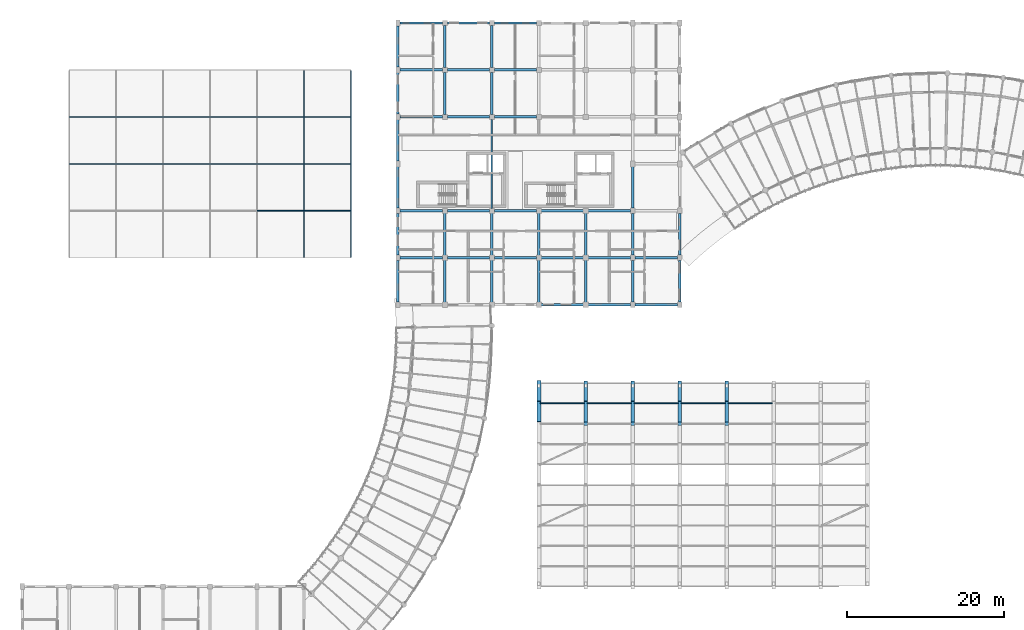
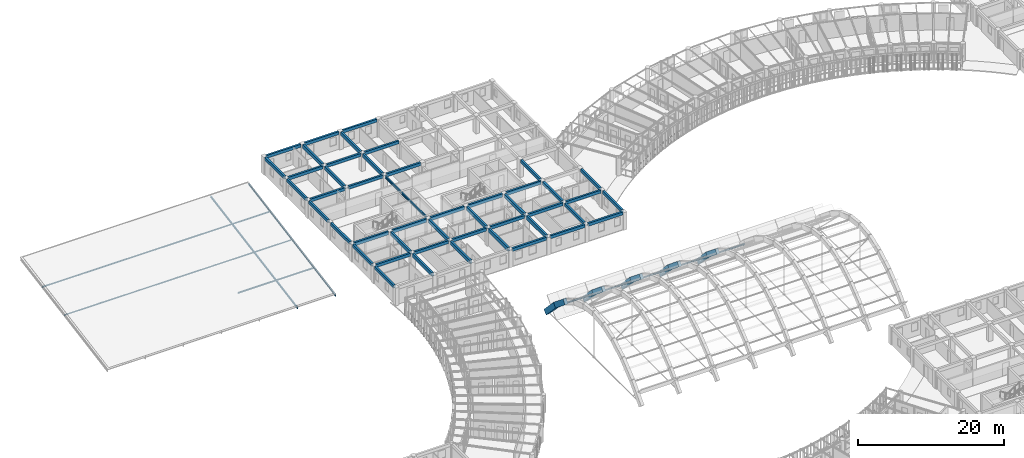
# One storey, part 40 of 123: 64 beams, 14 members.
"""IFC4 building model written with IfcOpenShell, lengths in metres."""

from ifc_helpers import new_model, si_unit, direction, frame, origin, origin_2d, place, context, subcontext, project, spatial, rectangle, i_section, extrude, material, material_profile, profile_set, type_object, element, save


model = new_model("IFC4")

# Units and contexts
model_context = context("Model", 3, precision=1e-05, world=origin(), true_north=direction((0.0, 1.0)))
body_context = subcontext(model_context, "Body", "Model", "MODEL_VIEW")
ifc_project = project(units=[si_unit("LENGTHUNIT", "METRE"), si_unit("AREAUNIT", "SQUARE_METRE"), si_unit("VOLUMEUNIT", "CUBIC_METRE"), si_unit("PLANEANGLEUNIT", "RADIAN"), si_unit("MASSUNIT", "GRAM", prefix="KILO"), si_unit("POWERUNIT", "WATT"), si_unit("THERMODYNAMICTEMPERATUREUNIT", "KELVIN")], contexts=[model_context])

# Site, building, storey
site_placement = place(None, origin())
site = spatial("IfcSite", under=ifc_project, at=site_placement, CompositionType="ELEMENT")
building_placement = place(site_placement, origin())
building = spatial("IfcBuilding", under=site, at=building_placement, Name="Ruvembo Vaulted Housing Court", CompositionType="ELEMENT")
storey_placement = place(building_placement, frame((0.0, 0.0, 7.699951171875)))
storey = spatial("IfcBuildingStorey", under=building, at=storey_placement, Name="L02", CompositionType="ELEMENT", Elevation=7.699951171875)

# Beams
ifc_material_1 = material(Name="Concrete C35/45", Category="concrete")
ifc_material_profile_1 = material_profile(ifc_material_1, rectangle(XDim=0.449951171875, YDim=0.800048828125, at=origin_2d()), Name="RC 450x800")
ifc_profile_set_1 = profile_set([ifc_material_profile_1], Name="Concrete C35/45")
beam_type_1 = type_object("IfcBeamType", Name="AR-RC-450x800", PredefinedType="BEAM", material=ifc_profile_set_1)
beam_1_placement = place(storey_placement, frame((72.0, 62.800048828125, 3.364013671875), z_axis=(0.0, 0.773843967543, -0.633376281445), x_axis=(-1.0, 0.0, 0.0)))
element("IfcBeam", 1, at=beam_1_placement, inside=storey, type_object=beam_type_1, Name="Community Hall Parabolic Arch Rib AR-02 Seg 9", PredefinedType="BEAM", context=body_context, shape_type="SweptSolid", body=[
    extrude(rectangle(XDim=0.449951171875, YDim=0.800048828125, at=origin_2d()), origin(), (0.0, 0.0, 1.0), 3.359619140625),
])
beam_2_placement = place(storey_placement, frame((72.0, 65.39990234375, 1.236083984375), z_axis=(0.0, 0.688863348141, -0.724891224659), x_axis=(-1.0, 0.0, 0.0)))
element("IfcBeam", 2, at=beam_2_placement, inside=storey, type_object=beam_type_1, Name="Community Hall Parabolic Arch Rib AR-02 Seg 10", PredefinedType="BEAM", context=body_context, shape_type="SweptSolid", body=[
    extrude(rectangle(XDim=0.449951171875, YDim=0.800048828125, at=origin_2d()), origin(), (0.0, 0.0, 1.0), 3.7744140625),
])
beam_3_placement = place(storey_placement, frame((78.0, 62.800048828125, 3.364013671875), z_axis=(0.0, 0.773843967543, -0.633376281445), x_axis=(-1.0, 0.0, 0.0)))
element("IfcBeam", 3, at=beam_3_placement, inside=storey, type_object=beam_type_1, Name="Community Hall Parabolic Arch Rib AR-03 Seg 9", PredefinedType="BEAM", context=body_context, shape_type="SweptSolid", body=[
    extrude(rectangle(XDim=0.449951171875, YDim=0.800048828125, at=origin_2d()), origin(), (0.0, 0.0, 1.0), 3.359619140625),
])
beam_4_placement = place(storey_placement, frame((78.0, 65.39990234375, 1.236083984375), z_axis=(0.0, 0.688863348141, -0.724891224659), x_axis=(-1.0, 0.0, 0.0)))
element("IfcBeam", 4, at=beam_4_placement, inside=storey, type_object=beam_type_1, Name="Community Hall Parabolic Arch Rib AR-03 Seg 10", PredefinedType="BEAM", context=body_context, shape_type="SweptSolid", body=[
    extrude(rectangle(XDim=0.449951171875, YDim=0.800048828125, at=origin_2d()), origin(), (0.0, 0.0, 1.0), 3.7744140625),
])
beam_5_placement = place(storey_placement, frame((84.0, 62.800048828125, 3.364013671875), z_axis=(0.0, 0.773843967543, -0.633376281445), x_axis=(-1.0, 0.0, 0.0)))
element("IfcBeam", 5, at=beam_5_placement, inside=storey, type_object=beam_type_1, Name="Community Hall Parabolic Arch Rib AR-04 Seg 9", PredefinedType="BEAM", context=body_context, shape_type="SweptSolid", body=[
    extrude(rectangle(XDim=0.449951171875, YDim=0.800048828125, at=origin_2d()), origin(), (0.0, 0.0, 1.0), 3.359619140625),
])
beam_6_placement = place(storey_placement, frame((84.0, 65.39990234375, 1.236083984375), z_axis=(0.0, 0.688863348141, -0.724891224659), x_axis=(-1.0, 0.0, 0.0)))
element("IfcBeam", 6, at=beam_6_placement, inside=storey, type_object=beam_type_1, Name="Community Hall Parabolic Arch Rib AR-04 Seg 10", PredefinedType="BEAM", context=body_context, shape_type="SweptSolid", body=[
    extrude(rectangle(XDim=0.449951171875, YDim=0.800048828125, at=origin_2d()), origin(), (0.0, 0.0, 1.0), 3.7744140625),
])
beam_7_placement = place(storey_placement, frame((90.0, 62.800048828125, 3.364013671875), z_axis=(0.0, 0.773843967543, -0.633376281445), x_axis=(-1.0, 0.0, 0.0)))
element("IfcBeam", 7, at=beam_7_placement, inside=storey, type_object=beam_type_1, Name="Community Hall Parabolic Arch Rib AR-05 Seg 9", PredefinedType="BEAM", context=body_context, shape_type="SweptSolid", body=[
    extrude(rectangle(XDim=0.449951171875, YDim=0.800048828125, at=origin_2d()), origin(), (0.0, 0.0, 1.0), 3.359619140625),
])
beam_8_placement = place(storey_placement, frame((90.0, 65.39990234375, 1.236083984375), z_axis=(0.0, 0.688863348141, -0.724891224659), x_axis=(-1.0, 0.0, 0.0)))
element("IfcBeam", 8, at=beam_8_placement, inside=storey, type_object=beam_type_1, Name="Community Hall Parabolic Arch Rib AR-05 Seg 10", PredefinedType="BEAM", context=body_context, shape_type="SweptSolid", body=[
    extrude(rectangle(XDim=0.449951171875, YDim=0.800048828125, at=origin_2d()), origin(), (0.0, 0.0, 1.0), 3.7744140625),
])
ifc_material_profile_2 = material_profile(ifc_material_1, rectangle(XDim=0.5, YDim=0.85009765625, at=origin_2d()), Name="RC 500x850")
ifc_profile_set_2 = profile_set([ifc_material_profile_2], Name="Concrete C35/45")
beam_type_2 = type_object("IfcBeamType", Name="AR-RC-500x850", PredefinedType="BEAM", material=ifc_profile_set_2)
beam_9_placement = place(storey_placement, frame((66.0, 62.800048828125, 3.364013671875), z_axis=(0.0, 0.773843967543, -0.633376281445), x_axis=(-1.0, 0.0, 0.0)))
element("IfcBeam", 9, at=beam_9_placement, inside=storey, type_object=beam_type_2, Name="Community Hall Parabolic Arch Rib AR-01 Seg 9", PredefinedType="BEAM", context=body_context, shape_type="SweptSolid", body=[
    extrude(rectangle(XDim=0.5, YDim=0.85009765625, at=origin_2d()), origin(), (0.0, 0.0, 1.0), 3.359619140625),
])
beam_10_placement = place(storey_placement, frame((66.0, 65.39990234375, 1.236083984375), z_axis=(0.0, 0.688863348141, -0.724891224659), x_axis=(-1.0, 0.0, 0.0)))
element("IfcBeam", 10, at=beam_10_placement, inside=storey, type_object=beam_type_2, Name="Community Hall Parabolic Arch Rib AR-01 Seg 10", PredefinedType="BEAM", context=body_context, shape_type="SweptSolid", body=[
    extrude(rectangle(XDim=0.5, YDim=0.85009765625, at=origin_2d()), origin(), (0.0, 0.0, 1.0), 3.7744140625),
])
ifc_material_profile_3 = material_profile(ifc_material_1, rectangle(XDim=0.300048828125, YDim=0.550048828125, at=origin_2d()), Name="RC 300x550")
ifc_profile_set_3 = profile_set([ifc_material_profile_3], Name="Concrete C35/45")
beam_type_3 = type_object("IfcBeamType", Name="BM-RC-300x550", PredefinedType="BEAM", material=ifc_profile_set_3)
beam_11_placement = place(storey_placement, frame((48.260009765625, 90.0, 2.679931640625), z_axis=(1.0, 0.0, 0.0), x_axis=(0.0, 1.0, 0.0)))
element("IfcBeam", 11, at=beam_11_placement, inside=storey, type_object=beam_type_3, Name="L02 Grid Beam X #1525", PredefinedType="BEAM", context=body_context, shape_type="SweptSolid", body=[
    extrude(rectangle(XDim=0.300048828125, YDim=0.550048828125, at=origin_2d()), origin(), (0.0, 0.0, 1.0), 5.429931640625),
])
for number, where, z_axis, x_axis, name in (
    (12, (54.31005859375, 90.0, 2.679931640625), (1.0, 0.0, 0.0), (0.0, 1.0, 0.0), "L02 Grid Beam X #1526"),
    (13, (60.31005859375, 90.0, 2.679931640625), (1.0, 0.0, 0.0), (0.0, 1.0, 0.0), "L02 Grid Beam X #1527"),
    (14, (66.31005859375, 90.0, 2.679931640625), (1.0, 0.0, 0.0), (0.0, 1.0, 0.0), "L02 Grid Beam X #1528"),
):
    element("IfcBeam", number, at=place(storey_placement, frame(where, z_axis=z_axis, x_axis=x_axis)), inside=storey, type_object=beam_type_3, Name=name, PredefinedType="BEAM", context=body_context, shape_type="SweptSolid", body=[
        extrude(rectangle(XDim=0.300048828125, YDim=0.550048828125, at=origin_2d()), origin(), (0.0, 0.0, 1.0), 5.3798828125),
    ])
beam_12_placement = place(storey_placement, frame((72.31005859375, 90.0, 2.679931640625), z_axis=(1.0, 0.0, 0.0), x_axis=(0.0, 1.0, 0.0)))
element("IfcBeam", 15, at=beam_12_placement, inside=storey, type_object=beam_type_3, Name="L02 Grid Beam X #1529", PredefinedType="BEAM", context=body_context, shape_type="SweptSolid", body=[
    extrude(rectangle(XDim=0.300048828125, YDim=0.550048828125, at=origin_2d()), origin(), (0.0, 0.0, 1.0), 5.429931640625),
])
ifc_material_profile_4 = material_profile(ifc_material_1, rectangle(XDim=0.300048828125, YDim=0.60009765625, at=origin_2d()), Name="RC 300x600")
ifc_profile_set_4 = profile_set([ifc_material_profile_4], Name="Concrete C35/45")
beam_type_4 = type_object("IfcBeamType", Name="BM-RC-300x600", PredefinedType="BEAM", material=ifc_profile_set_4)
for number, where, z_axis, x_axis, name in (
    (16, (54.0, 78.31005859375, 2.655029296875), (0.0, 1.0, 0.0), (-1.0, 0.0, 0.0), "L02 Grid Beam Y #1610"),
    (17, (54.0, 84.31005859375, 2.655029296875), (0.0, 1.0, 0.0), (-1.0, 0.0, 0.0), "L02 Grid Beam Y #1611"),
    (18, (54.0, 102.31005859375, 2.655029296875), (0.0, 1.0, 0.0), (-1.0, 0.0, 0.0), "L02 Grid Beam Y #1612"),
    (19, (54.0, 108.31005859375, 2.655029296875), (0.0, 1.0, 0.0), (-1.0, 0.0, 0.0), "L02 Grid Beam Y #1613"),
    (20, (60.0, 78.31005859375, 2.655029296875), (0.0, 1.0, 0.0), (-1.0, 0.0, 0.0), "L02 Grid Beam Y #1614"),
    (21, (60.0, 84.31005859375, 2.655029296875), (0.0, 1.0, 0.0), (-1.0, 0.0, 0.0), "L02 Grid Beam Y #1615"),
    (22, (60.0, 102.31005859375, 2.655029296875), (0.0, 1.0, 0.0), (-1.0, 0.0, 0.0), "L02 Grid Beam Y #1617"),
    (23, (60.0, 108.31005859375, 2.655029296875), (0.0, 1.0, 0.0), (-1.0, 0.0, 0.0), "L02 Grid Beam Y #1618"),
    (24, (66.0, 78.31005859375, 2.655029296875), (0.0, 1.0, 0.0), (-1.0, 0.0, 0.0), "L02 Grid Beam Y #1619"),
    (25, (66.0, 84.31005859375, 2.655029296875), (0.0, 1.0, 0.0), (-1.0, 0.0, 0.0), "L02 Grid Beam Y #1620"),
    (26, (72.0, 78.31005859375, 2.655029296875), (0.0, 1.0, 0.0), (-1.0, 0.0, 0.0), "L02 Grid Beam Y #1623"),
    (27, (72.0, 84.31005859375, 2.655029296875), (0.0, 1.0, 0.0), (-1.0, 0.0, 0.0), "L02 Grid Beam Y #1624"),
):
    element("IfcBeam", number, at=place(storey_placement, frame(where, z_axis=z_axis, x_axis=x_axis)), inside=storey, type_object=beam_type_4, Name=name, PredefinedType="BEAM", context=body_context, shape_type="SweptSolid", body=[
        extrude(rectangle(XDim=0.300048828125, YDim=0.60009765625, at=origin_2d()), origin(), (0.0, 0.0, 1.0), 5.3798828125),
    ])
ifc_material_2 = material(Name="Steel S355J2", Category="steel")
ifc_material_profile_5 = material_profile(ifc_material_2, i_section(OverallWidth=0.1201171875, OverallDepth=0.239990234375, WebThickness=0.006103515625, FlangeThickness=0.009765625, FilletRadius=0.014892578125, at=origin_2d()), Name="IPE 240")
ifc_profile_set_5 = profile_set([ifc_material_profile_5], Name="Steel S355J2")
beam_type_5 = type_object("IfcBeamType", Name="BM-ST-IPE240", PredefinedType="BEAM", material=ifc_profile_set_5)
for number, where, z_axis, x_axis, name in (
    (28, (66.2099609375, 65.39990234375, 0.9560546875), (1.0, 0.0, 0.0), (0.0, 1.0, 0.0), "Vault Bay 1 Steel Purlin K9"),
    (29, (72.2099609375, 65.39990234375, 0.9560546875), (1.0, 0.0, 0.0), (0.0, 1.0, 0.0), "Vault Bay 2 Steel Purlin K9"),
    (30, (78.2099609375, 65.39990234375, 0.9560546875), (1.0, 0.0, 0.0), (0.0, 1.0, 0.0), "Vault Bay 3 Steel Purlin K9"),
    (31, (84.2099609375, 65.39990234375, 0.9560546875), (1.0, 0.0, 0.0), (0.0, 1.0, 0.0), "Vault Bay 4 Steel Purlin K9"),
    (32, (90.2099609375, 65.39990234375, 0.9560546875), (1.0, 0.0, 0.0), (0.0, 1.0, 0.0), "Vault Bay 5 Steel Purlin K9"),
):
    element("IfcBeam", number, at=place(storey_placement, frame(where, z_axis=z_axis, x_axis=x_axis)), inside=storey, type_object=beam_type_5, Name=name, PredefinedType="BEAM", context=body_context, shape_type="SweptSolid", body=[
        extrude(i_section(OverallWidth=0.1201171875, OverallDepth=0.239990234375, WebThickness=0.006103515625, FlangeThickness=0.009765625, FilletRadius=0.014892578125, at=origin_2d()), origin(), (0.0, 0.0, 1.0), 5.580078125),
    ])
ifc_material_profile_6 = material_profile(ifc_material_2, i_section(OverallWidth=0.14990234375, OverallDepth=0.300048828125, WebThickness=0.007080078125, FlangeThickness=0.0107421875, FilletRadius=0.014892578125, at=origin_2d()), Name="IPE 300")
ifc_profile_set_6 = profile_set([ifc_material_profile_6], Name="Steel S355J2")
beam_type_6 = type_object("IfcBeamType", Name="BM-ST-IPE300", PredefinedType="BEAM", material=ifc_profile_set_6)
for number, where, z_axis, x_axis, name in (
    (33, (36.0, 84.080078125, -0.159912109375), (0.0, 0.984608772285, 0.174772897039), (-1.0, 0.0, 0.0), "Nursery Sloped Steel Rafter 6"),
    (34, (42.0, 84.080078125, -0.159912109375), (0.0, 0.984608772285, 0.174772897039), (-1.0, 0.0, 0.0), "Nursery Sloped Steel Rafter End"),
):
    element("IfcBeam", number, at=place(storey_placement, frame(where, z_axis=z_axis, x_axis=x_axis)), inside=storey, type_object=beam_type_6, Name=name, PredefinedType="BEAM", context=body_context, shape_type="SweptSolid", body=[
        extrude(i_section(OverallWidth=0.14990234375, OverallDepth=0.300048828125, WebThickness=0.007080078125, FlangeThickness=0.0107421875, FilletRadius=0.014892578125, at=origin_2d()), origin(), (0.0, 0.0, 1.0), 24.21240234375),
    ])
ifc_material_profile_7 = material_profile(ifc_material_2, i_section(OverallWidth=0.179931640625, OverallDepth=0.39990234375, WebThickness=0.008544921875, FlangeThickness=0.013427734375, FilletRadius=0.02099609375, at=origin_2d()), Name="IPE 400")
ifc_profile_set_7 = profile_set([ifc_material_profile_7], Name="Steel S355J2")
beam_type_7 = type_object("IfcBeamType", Name="BM-ST-IPE400", PredefinedType="BEAM", material=ifc_profile_set_7)
beam_13_placement = place(storey_placement, frame((60.0, 90.31005859375, 2.72607421875), z_axis=(0.0, 1.0, 0.0), x_axis=(-1.0, 0.0, 0.0)))
element("IfcBeam", 35, at=beam_13_placement, inside=storey, type_object=beam_type_7, Name="L02 Grid Beam Y #1616", PredefinedType="BEAM", context=body_context, shape_type="SweptSolid", body=[
    extrude(i_section(OverallWidth=0.179931640625, OverallDepth=0.39990234375, WebThickness=0.008544921875, FlangeThickness=0.013427734375, FilletRadius=0.02099609375, at=origin_2d()), origin(), (0.0, 0.0, 1.0), 11.3798828125),
])

# Members
ifc_material_profile_8 = material_profile(ifc_material_2, i_section(OverallWidth=0.072998046875, OverallDepth=0.139892578125, WebThickness=0.004638671875, FlangeThickness=0.0068359375, FilletRadius=0.007080078125, at=origin_2d()), Name="IPE 140")
ifc_profile_set_8 = profile_set([ifc_material_profile_8], Name="Steel S355J2")
member_type_1 = type_object("IfcMemberType", Name="MEM-PUR-IPE140", PredefinedType="PURLIN", material=ifc_profile_set_8)
for number, where, z_axis, x_axis, name in (
    (36, (6.0048828125, 96.0, 1.9560546875), (1.0, 0.0, 0.0), (0.0, 1.0, 0.0), "Nursery Steel Roof Purlin B1 Y96"),
    (37, (12.0048828125, 96.0, 1.9560546875), (1.0, 0.0, 0.0), (0.0, 1.0, 0.0), "Nursery Steel Roof Purlin B2 Y96"),
    (38, (18.0048828125, 96.0, 1.9560546875), (1.0, 0.0, 0.0), (0.0, 1.0, 0.0), "Nursery Steel Roof Purlin B3 Y96"),
    (39, (24.0048828125, 96.0, 1.9560546875), (1.0, 0.0, 0.0), (0.0, 1.0, 0.0), "Nursery Steel Roof Purlin B4 Y96"),
    (40, (30.0048828125, 96.0, 1.9560546875), (1.0, 0.0, 0.0), (0.0, 1.0, 0.0), "Nursery Steel Roof Purlin B5 Y96"),
    (41, (36.0048828125, 96.0, 1.9560546875), (1.0, 0.0, 0.0), (0.0, 1.0, 0.0), "Nursery Steel Roof Purlin B6 Y96"),
):
    element("IfcMember", number, at=place(storey_placement, frame(where, z_axis=z_axis, x_axis=x_axis)), inside=storey, type_object=member_type_1, Name=name, PredefinedType="PURLIN", context=body_context, shape_type="SweptSolid", body=[
        extrude(i_section(OverallWidth=0.072998046875, OverallDepth=0.139892578125, WebThickness=0.004638671875, FlangeThickness=0.0068359375, FilletRadius=0.007080078125, at=origin_2d()), origin(), (0.0, 0.0, 1.0), 5.990234375),
    ])
ifc_material_profile_9 = material_profile(ifc_material_2, i_section(OverallWidth=0.08203125, OverallDepth=0.159912109375, WebThickness=0.0048828125, FlangeThickness=0.00732421875, FilletRadius=0.009033203125, at=origin_2d()), Name="IPE 160")
ifc_profile_set_9 = profile_set([ifc_material_profile_9], Name="Steel S355J2")
member_type_2 = type_object("IfcMemberType", Name="MEM-PUR-IPE160", PredefinedType="PURLIN", material=ifc_profile_set_9)
for number, where, z_axis, x_axis, name in (
    (42, (6.0048828125, 102.0, 3.013916015625), (1.0, 0.0, 0.0), (0.0, 1.0, 0.0), "Nursery Steel Roof Purlin B1 Y102"),
    (43, (12.0048828125, 102.0, 3.013916015625), (1.0, 0.0, 0.0), (0.0, 1.0, 0.0), "Nursery Steel Roof Purlin B2 Y102"),
    (44, (18.0048828125, 102.0, 3.013916015625), (1.0, 0.0, 0.0), (0.0, 1.0, 0.0), "Nursery Steel Roof Purlin B3 Y102"),
    (45, (24.0048828125, 102.0, 3.013916015625), (1.0, 0.0, 0.0), (0.0, 1.0, 0.0), "Nursery Steel Roof Purlin B4 Y102"),
    (46, (30.0048828125, 90.0, 0.89794921875), (1.0, 0.0, 0.0), (0.0, 1.0, 0.0), "Nursery Steel Roof Purlin B5 Y90"),
    (47, (30.0048828125, 102.0, 3.013916015625), (1.0, 0.0, 0.0), (0.0, 1.0, 0.0), "Nursery Steel Roof Purlin B5 Y102"),
    (48, (36.0048828125, 90.0, 0.89794921875), (1.0, 0.0, 0.0), (0.0, 1.0, 0.0), "Nursery Steel Roof Purlin B6 Y90"),
    (49, (36.0048828125, 102.0, 3.013916015625), (1.0, 0.0, 0.0), (0.0, 1.0, 0.0), "Nursery Steel Roof Purlin B6 Y102"),
):
    element("IfcMember", number, at=place(storey_placement, frame(where, z_axis=z_axis, x_axis=x_axis)), inside=storey, type_object=member_type_2, Name=name, PredefinedType="PURLIN", context=body_context, shape_type="SweptSolid", body=[
        extrude(i_section(OverallWidth=0.08203125, OverallDepth=0.159912109375, WebThickness=0.0048828125, FlangeThickness=0.00732421875, FilletRadius=0.009033203125, at=origin_2d()), origin(), (0.0, 0.0, 1.0), 5.990234375),
    ])

# Beams
ifc_material_profile_10 = material_profile(ifc_material_1, rectangle(XDim=0.300048828125, YDim=0.5, at=origin_2d()), Name="RC 300x500")
ifc_profile_set_10 = profile_set([ifc_material_profile_10], Name="Concrete C35/45")
beam_type_8 = type_object("IfcBeamType", Name="SP-RC-300x500", PredefinedType="SPANDREL", material=ifc_profile_set_10)
beam_14_placement = place(storey_placement, frame((66.31005859375, 78.0, 2.705078125), z_axis=(1.0, 0.0, 0.0), x_axis=(0.0, 1.0, 0.0)))
element("IfcBeam", 50, at=beam_14_placement, inside=storey, type_object=beam_type_8, Name="L02 Grid Beam X #1504", PredefinedType="SPANDREL", context=body_context, shape_type="SweptSolid", body=[
    extrude(rectangle(XDim=0.300048828125, YDim=0.5, at=origin_2d()), origin(), (0.0, 0.0, 1.0), 5.3798828125),
])
beam_15_placement = place(storey_placement, frame((72.31005859375, 78.0, 2.705078125), z_axis=(1.0, 0.0, 0.0), x_axis=(0.0, 1.0, 0.0)))
element("IfcBeam", 51, at=beam_15_placement, inside=storey, type_object=beam_type_8, Name="L02 Grid Beam X #1505", PredefinedType="SPANDREL", context=body_context, shape_type="SweptSolid", body=[
    extrude(rectangle(XDim=0.300048828125, YDim=0.5, at=origin_2d()), origin(), (0.0, 0.0, 1.0), 5.429931640625),
])
beam_16_placement = place(storey_placement, frame((78.260009765625, 78.0, 2.705078125), z_axis=(1.0, 0.0, 0.0), x_axis=(0.0, 1.0, 0.0)))
element("IfcBeam", 52, at=beam_16_placement, inside=storey, type_object=beam_type_8, Name="L02 Grid Beam X #1506", PredefinedType="SPANDREL", context=body_context, shape_type="SweptSolid", body=[
    extrude(rectangle(XDim=0.300048828125, YDim=0.5, at=origin_2d()), origin(), (0.0, 0.0, 1.0), 5.47998046875),
])
beam_17_placement = place(storey_placement, frame((48.260009765625, 84.0, 2.705078125), z_axis=(1.0, 0.0, 0.0), x_axis=(0.0, 1.0, 0.0)))
element("IfcBeam", 53, at=beam_17_placement, inside=storey, type_object=beam_type_8, Name="L02 Grid Beam X #1513", PredefinedType="SPANDREL", context=body_context, shape_type="SweptSolid", body=[
    extrude(rectangle(XDim=0.300048828125, YDim=0.5, at=origin_2d()), origin(), (0.0, 0.0, 1.0), 5.429931640625),
])
for number, where, z_axis, x_axis, name in (
    (54, (54.31005859375, 84.0, 2.705078125), (1.0, 0.0, 0.0), (0.0, 1.0, 0.0), "L02 Grid Beam X #1514"),
    (55, (60.31005859375, 84.0, 2.705078125), (1.0, 0.0, 0.0), (0.0, 1.0, 0.0), "L02 Grid Beam X #1515"),
    (56, (66.31005859375, 84.0, 2.705078125), (1.0, 0.0, 0.0), (0.0, 1.0, 0.0), "L02 Grid Beam X #1516"),
):
    element("IfcBeam", number, at=place(storey_placement, frame(where, z_axis=z_axis, x_axis=x_axis)), inside=storey, type_object=beam_type_8, Name=name, PredefinedType="SPANDREL", context=body_context, shape_type="SweptSolid", body=[
        extrude(rectangle(XDim=0.300048828125, YDim=0.5, at=origin_2d()), origin(), (0.0, 0.0, 1.0), 5.3798828125),
    ])
beam_18_placement = place(storey_placement, frame((72.31005859375, 84.0, 2.705078125), z_axis=(1.0, 0.0, 0.0), x_axis=(0.0, 1.0, 0.0)))
element("IfcBeam", 57, at=beam_18_placement, inside=storey, type_object=beam_type_8, Name="L02 Grid Beam X #1517", PredefinedType="SPANDREL", context=body_context, shape_type="SweptSolid", body=[
    extrude(rectangle(XDim=0.300048828125, YDim=0.5, at=origin_2d()), origin(), (0.0, 0.0, 1.0), 5.429931640625),
])
beam_19_placement = place(storey_placement, frame((78.260009765625, 84.0, 2.705078125), z_axis=(1.0, 0.0, 0.0), x_axis=(0.0, 1.0, 0.0)))
element("IfcBeam", 58, at=beam_19_placement, inside=storey, type_object=beam_type_8, Name="L02 Grid Beam X #1518", PredefinedType="SPANDREL", context=body_context, shape_type="SweptSolid", body=[
    extrude(rectangle(XDim=0.300048828125, YDim=0.5, at=origin_2d()), origin(), (0.0, 0.0, 1.0), 5.47998046875),
])
beam_20_placement = place(storey_placement, frame((48.260009765625, 102.0, 2.705078125), z_axis=(1.0, 0.0, 0.0), x_axis=(0.0, 1.0, 0.0)))
element("IfcBeam", 59, at=beam_20_placement, inside=storey, type_object=beam_type_8, Name="L02 Grid Beam X #1539", PredefinedType="SPANDREL", context=body_context, shape_type="SweptSolid", body=[
    extrude(rectangle(XDim=0.300048828125, YDim=0.5, at=origin_2d()), origin(), (0.0, 0.0, 1.0), 5.429931640625),
])
for number, where, z_axis, x_axis, name in (
    (60, (54.31005859375, 102.0, 2.705078125), (1.0, 0.0, 0.0), (0.0, 1.0, 0.0), "L02 Grid Beam X #1540"),
    (61, (60.31005859375, 102.0, 2.705078125), (1.0, 0.0, 0.0), (0.0, 1.0, 0.0), "L02 Grid Beam X #1541"),
):
    element("IfcBeam", number, at=place(storey_placement, frame(where, z_axis=z_axis, x_axis=x_axis)), inside=storey, type_object=beam_type_8, Name=name, PredefinedType="SPANDREL", context=body_context, shape_type="SweptSolid", body=[
        extrude(rectangle(XDim=0.300048828125, YDim=0.5, at=origin_2d()), origin(), (0.0, 0.0, 1.0), 5.3798828125),
    ])
beam_21_placement = place(storey_placement, frame((48.260009765625, 108.0, 2.705078125), z_axis=(1.0, 0.0, 0.0), x_axis=(0.0, 1.0, 0.0)))
element("IfcBeam", 62, at=beam_21_placement, inside=storey, type_object=beam_type_8, Name="L02 Grid Beam X #1551", PredefinedType="SPANDREL", context=body_context, shape_type="SweptSolid", body=[
    extrude(rectangle(XDim=0.300048828125, YDim=0.5, at=origin_2d()), origin(), (0.0, 0.0, 1.0), 5.429931640625),
])
for number, where, z_axis, x_axis, name in (
    (63, (54.31005859375, 108.0, 2.705078125), (1.0, 0.0, 0.0), (0.0, 1.0, 0.0), "L02 Grid Beam X #1552"),
    (64, (60.31005859375, 108.0, 2.705078125), (1.0, 0.0, 0.0), (0.0, 1.0, 0.0), "L02 Grid Beam X #1553"),
):
    element("IfcBeam", number, at=place(storey_placement, frame(where, z_axis=z_axis, x_axis=x_axis)), inside=storey, type_object=beam_type_8, Name=name, PredefinedType="SPANDREL", context=body_context, shape_type="SweptSolid", body=[
        extrude(rectangle(XDim=0.300048828125, YDim=0.5, at=origin_2d()), origin(), (0.0, 0.0, 1.0), 5.3798828125),
    ])
beam_22_placement = place(storey_placement, frame((48.260009765625, 114.0, 2.705078125), z_axis=(1.0, 0.0, 0.0), x_axis=(0.0, 1.0, 0.0)))
element("IfcBeam", 65, at=beam_22_placement, inside=storey, type_object=beam_type_8, Name="L02 Grid Beam X #1563", PredefinedType="SPANDREL", context=body_context, shape_type="SweptSolid", body=[
    extrude(rectangle(XDim=0.300048828125, YDim=0.5, at=origin_2d()), origin(), (0.0, 0.0, 1.0), 5.429931640625),
])
for number, where, z_axis, x_axis, name in (
    (66, (54.31005859375, 114.0, 2.705078125), (1.0, 0.0, 0.0), (0.0, 1.0, 0.0), "L02 Grid Beam X #1564"),
    (67, (60.31005859375, 114.0, 2.705078125), (1.0, 0.0, 0.0), (0.0, 1.0, 0.0), "L02 Grid Beam X #1565"),
):
    element("IfcBeam", number, at=place(storey_placement, frame(where, z_axis=z_axis, x_axis=x_axis)), inside=storey, type_object=beam_type_8, Name=name, PredefinedType="SPANDREL", context=body_context, shape_type="SweptSolid", body=[
        extrude(rectangle(XDim=0.300048828125, YDim=0.5, at=origin_2d()), origin(), (0.0, 0.0, 1.0), 5.3798828125),
    ])
for number, where, z_axis, x_axis, name in (
    (68, (48.0, 78.360107421875, 2.705078125), (0.0, 1.0, 0.0), (-1.0, 0.0, 0.0), "L02 Grid Beam Y #1604"),
    (69, (48.0, 84.360107421875, 2.705078125), (0.0, 1.0, 0.0), (-1.0, 0.0, 0.0), "L02 Grid Beam Y #1605"),
    (70, (48.0, 90.360107421875, 2.705078125), (0.0, 1.0, 0.0), (-1.0, 0.0, 0.0), "L02 Grid Beam Y #1606"),
    (71, (48.0, 96.360107421875, 2.705078125), (0.0, 1.0, 0.0), (-1.0, 0.0, 0.0), "L02 Grid Beam Y #1607"),
    (72, (48.0, 102.360107421875, 2.705078125), (0.0, 1.0, 0.0), (-1.0, 0.0, 0.0), "L02 Grid Beam Y #1608"),
    (73, (48.0, 108.360107421875, 2.705078125), (0.0, 1.0, 0.0), (-1.0, 0.0, 0.0), "L02 Grid Beam Y #1609"),
    (74, (78.0, 78.360107421875, 2.705078125), (0.0, 1.0, 0.0), (-1.0, 0.0, 0.0), "L02 Grid Beam Y #1627"),
    (75, (78.0, 84.360107421875, 2.705078125), (0.0, 1.0, 0.0), (-1.0, 0.0, 0.0), "L02 Grid Beam Y #1628"),
    (76, (78.0, 90.360107421875, 2.705078125), (0.0, 1.0, 0.0), (-1.0, 0.0, 0.0), "L02 Grid Beam Y #1629"),
    (77, (84.0, 78.360107421875, 2.705078125), (0.0, 1.0, 0.0), (-1.0, 0.0, 0.0), "L02 Grid Beam Y #1633"),
    (78, (84.0, 84.360107421875, 2.705078125), (0.0, 1.0, 0.0), (-1.0, 0.0, 0.0), "L02 Grid Beam Y #1634"),
):
    element("IfcBeam", number, at=place(storey_placement, frame(where, z_axis=z_axis, x_axis=x_axis)), inside=storey, type_object=beam_type_8, Name=name, PredefinedType="SPANDREL", context=body_context, shape_type="SweptSolid", body=[
        extrude(rectangle(XDim=0.300048828125, YDim=0.5, at=origin_2d()), origin(), (0.0, 0.0, 1.0), 5.27978515625),
    ])

save(model, "model.ifc")
